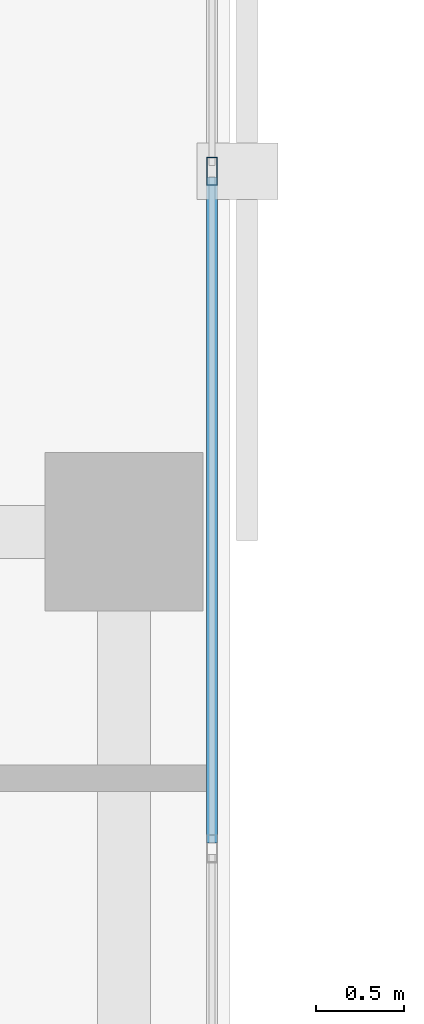
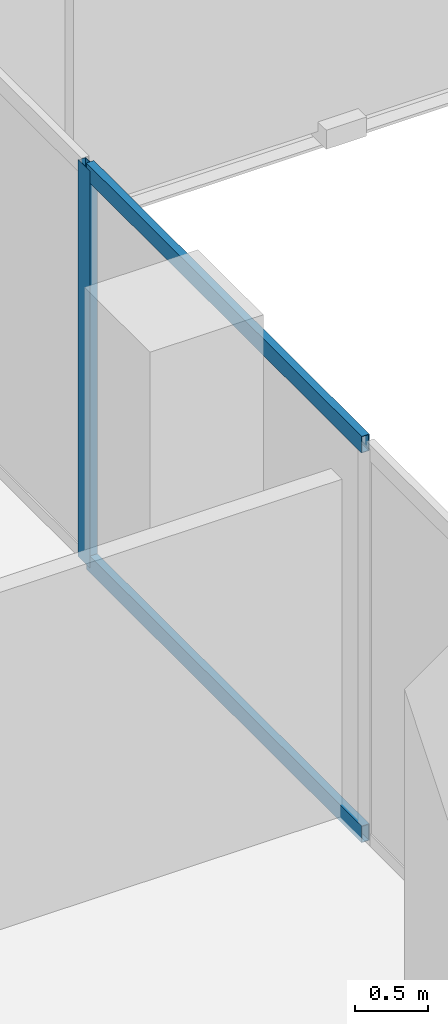
# One storey, part 8 of 34: 3 members, 1 element without a shape of its own.
"""IFC4 building model written with IfcOpenShell, lengths in metres."""

import ifcopenshell
import ifcopenshell.guid

model = None  # the IFC model being written
_history = None  # IfcOwnerHistory: only IFC2X3 demands one
_inside = {}  # id of a spatial element -> (the spatial element, [elements in it])
_under = {}  # id of a project, library or spatial element -> (it, [spatial elements below it])
_declared = {}  # id of a project -> (the project, [libraries it declares])
_typed = {}  # id of a type object -> (the type object, [elements of that type])
_made_of = {}  # id of a material, layer set ... -> (it, [elements and type objects made of it])


def new_model(schema):
    """Start an empty IFC model of exactly this schema.

    Asked for "IFC4X3", IfcOpenShell would pick the latest addendum, in which some entities
    have other attributes; the version numbers below select the first issue.
    IFC2X3 requires an IfcOwnerHistory on every rooted entity: one is made here for all.
    """
    global model, _history
    if schema == "IFC4X3":
        model = ifcopenshell.file(schema_version=(4, 3, 0, 0))
    else:
        model = ifcopenshell.file(schema=schema)
    _inside.clear()
    _under.clear()
    _declared.clear()
    _typed.clear()
    _made_of.clear()
    _history = None
    if model.schema == "IFC2X3":
        org = make("IfcOrganization", Name="unknown")
        user = make(
            "IfcPersonAndOrganization",
            ThePerson=make("IfcPerson", FamilyName="unknown"),
            TheOrganization=org,
        )
        app = make(
            "IfcApplication",
            ApplicationDeveloper=org,
            Version="unknown",
            ApplicationFullName="unknown",
            ApplicationIdentifier="unknown",
        )
        _history = make(
            "IfcOwnerHistory",
            OwningUser=user,
            OwningApplication=app,
            ChangeAction="ADDED",
            CreationDate=0,
        )
    return model


def make(cls, **values):
    """One entity of the class cls with the attributes given. An attribute that is None is left unset."""
    return model.create_entity(
        cls, **{name: value for name, value in values.items() if value is not None}
    )


def rooted(cls, **values):
    """An entity with a GlobalId (a new one), such as an element, a storey or a relation."""
    return make(cls, GlobalId=ifcopenshell.guid.new(), OwnerHistory=_history, **values)


def si_unit(unit_type, name, prefix=None):
    """IfcSIUnit, for example si_unit("LENGTHUNIT", "METRE", prefix="MILLI")."""
    return make("IfcSIUnit", UnitType=unit_type, Prefix=prefix, Name=name)


def assignment(units):
    """IfcUnitAssignment: the units of a project."""
    return None if units is None else make("IfcUnitAssignment", Units=units)


def point(xyz):
    """IfcCartesianPoint."""
    return None if xyz is None else make("IfcCartesianPoint", Coordinates=xyz)


def direction(xyz):
    """IfcDirection."""
    return None if xyz is None else make("IfcDirection", DirectionRatios=xyz)


def frame(location, z_axis=None, x_axis=None):
    """IfcAxis2Placement3D, a coordinate frame: its origin and axes. An axis left out is left unset."""
    return make(
        "IfcAxis2Placement3D",
        Location=point(location),
        Axis=direction(z_axis),
        RefDirection=direction(x_axis),
    )


def frame_2d(location, x_axis=None):
    """IfcAxis2Placement2D, a coordinate frame in the plane: its origin and x axis."""
    return make(
        "IfcAxis2Placement2D", Location=point(location), RefDirection=direction(x_axis)
    )


def origin():
    """The frame at (0, 0, 0) with its axes left unset."""
    return frame((0.0, 0.0, 0.0))


def origin_2d():
    """The frame at (0, 0) in the plane with its x axis left unset."""
    return frame_2d((0.0, 0.0))


def place(relative_to, where):
    """IfcLocalPlacement: puts the frame where relative to a parent placement (None: the world)."""
    return make(
        "IfcLocalPlacement", PlacementRelTo=relative_to, RelativePlacement=where
    )


def context(
    kind, dimensions, precision=None, world=None, true_north=None, identifier=None
):
    """IfcGeometricRepresentationContext, for example the 3D "Model" context."""
    return make(
        "IfcGeometricRepresentationContext",
        ContextIdentifier=identifier,
        ContextType=kind,
        CoordinateSpaceDimension=dimensions,
        Precision=precision,
        WorldCoordinateSystem=world,
        TrueNorth=true_north,
    )


def subcontext(parent, identifier, kind, view, scale=None):
    """IfcGeometricRepresentationSubContext, for example "Body" below "Model"."""
    return make(
        "IfcGeometricRepresentationSubContext",
        ContextIdentifier=identifier,
        ContextType=kind,
        ParentContext=parent,
        TargetScale=scale,
        TargetView=view,
    )


def project(units=None, contexts=None):
    """IfcProject with its units and contexts."""
    return rooted(
        "IfcProject",
        Name="project",
        RepresentationContexts=contexts,
        UnitsInContext=assignment(units),
    )


def spatial(cls, under=None, at=None, **own):
    """A site, building, storey or space (cls), placed at a placement, below another one or the project."""
    s = rooted(cls, ObjectPlacement=at, **own)
    if under is not None:
        _under.setdefault(under.id(), (under, []))[1].append(s)
    return s


def profile(cls, at=None, kind="AREA", **sizes):
    """A parametric profile (cls). Its sizes go by their IFC names, for example OverallWidth=200.0."""
    return make(cls, ProfileType=kind, Position=at, **sizes)


def hollow_rectangle(**sizes):
    """IfcRectangleHollowProfileDef."""
    return profile("IfcRectangleHollowProfileDef", **sizes)


def extrude(swept, where, along, depth):
    """IfcExtrudedAreaSolid: the profile swept, set in the frame where, extruded along a direction by depth."""
    return make(
        "IfcExtrudedAreaSolid",
        SweptArea=swept,
        Position=where,
        ExtrudedDirection=direction(along),
        Depth=depth,
    )


def shape(context_of_items, identifier, shape_type, items):
    """IfcShapeRepresentation: the items that make up one representation, for example the "Body"."""
    return make(
        "IfcShapeRepresentation",
        ContextOfItems=context_of_items,
        RepresentationIdentifier=identifier,
        RepresentationType=shape_type,
        Items=items,
    )


def material(Name=None, Category=None):
    """IfcMaterial."""
    return make("IfcMaterial", Name=Name, Category=Category)


def layer(
    of_material, thickness, ventilated=None, Name=None, Category=None, Priority=None
):
    """IfcMaterialLayer: one layer of a wall or slab, of a material (None: an air gap)."""
    return make(
        "IfcMaterialLayer",
        Material=of_material,
        LayerThickness=thickness,
        IsVentilated=ventilated,
        Name=Name,
        Category=Category,
        Priority=Priority,
    )


def layer_set(layers, Name=None):
    """IfcMaterialLayerSet."""
    return make("IfcMaterialLayerSet", MaterialLayers=layers, LayerSetName=Name)


def material_profile(
    of_material, cross_section, Name=None, Category=None, Priority=None
):
    """IfcMaterialProfile: a cross section and its material."""
    return make(
        "IfcMaterialProfile",
        Name=Name,
        Material=of_material,
        Profile=cross_section,
        Priority=Priority,
        Category=Category,
    )


def profile_set(profiles, Name=None, composite=None):
    """IfcMaterialProfileSet."""
    return make(
        "IfcMaterialProfileSet",
        Name=Name,
        MaterialProfiles=profiles,
        CompositeProfile=composite,
    )


def made_of(thing, what):
    """Note that an element or type object is made of a material, layer set ...; save() writes the relation."""
    if what is not None:
        _made_of.setdefault(what.id(), (what, []))[1].append(thing)
    return thing


def type_object(cls, material=None, **own):
    """A type object (cls), such as IfcWallType, which elements share."""
    return made_of(rooted(cls, **own), material)


def element(
    cls,
    number,
    at=None,
    inside=None,
    cuts=None,
    type_object=None,
    material=None,
    context=None,
    identifier="Body",
    shape_type=None,
    held_by="IfcProductDefinitionShape",
    body=None,
    shapes=None,
    **own,
):
    """One element of the class cls, such as IfcWall. Its Tag is "e" and its number.

    at: its placement. inside: the storey or other place that contains it. cuts: it is an
    opening in that element (IfcRelVoidsElement). A single representation is given by context,
    identifier, shape_type and body (its items); several are given by shapes. held_by: the class
    of the entity that holds the representations. save() writes the other relations.
    """
    e = rooted(cls, Tag="e%d" % number, ObjectPlacement=at, **own)
    if body is not None:
        shapes = [shape(context, identifier, shape_type, body)]
    if shapes is not None:
        e.Representation = make(held_by, Representations=shapes)
    if inside is not None:
        _inside.setdefault(inside.id(), (inside, []))[1].append(e)
    if cuts is not None:
        rooted(
            "IfcRelVoidsElement", RelatingBuildingElement=cuts, RelatedOpeningElement=e
        )
    if type_object is not None:
        _typed.setdefault(type_object.id(), (type_object, []))[1].append(e)
    return made_of(e, material)


def aggregate(whole, parts):
    """IfcRelAggregates: a whole, such as a stair, and the parts it consists of."""
    return rooted("IfcRelAggregates", RelatingObject=whole, RelatedObjects=parts)


def save(model, path):
    """Write the relations noted so far, then the file.

    IfcRelAggregates (storeys below a building ...), IfcRelContainedInSpatialStructure (elements
    in a storey), IfcRelDefinesByType, IfcRelAssociatesMaterial and IfcRelDeclares: one each for
    every whole, place, type object, material and project.
    """
    for whole, parts in _under.values():
        aggregate(whole, parts)
    for where, things in _inside.values():
        rooted(
            "IfcRelContainedInSpatialStructure",
            RelatedElements=things,
            RelatingStructure=where,
        )
    for kind, things in _typed.values():
        rooted("IfcRelDefinesByType", RelatedObjects=things, RelatingType=kind)
    for what, things in _made_of.values():
        rooted("IfcRelAssociatesMaterial", RelatedObjects=things, RelatingMaterial=what)
    for by, libraries in _declared.values():
        rooted("IfcRelDeclares", RelatingContext=by, RelatedDefinitions=libraries)
    model.write(path)


model = new_model("IFC4")

# Units and contexts
model_context = context("Model", 3, precision=1e-05, world=origin(), true_north=direction((0.0, 1.0)))
body_context = subcontext(model_context, "Body", "Model", "MODEL_VIEW")
ifc_project = project(units=[si_unit("LENGTHUNIT", "METRE"), si_unit("AREAUNIT", "SQUARE_METRE"), si_unit("VOLUMEUNIT", "CUBIC_METRE"), si_unit("PLANEANGLEUNIT", "RADIAN"), si_unit("MASSUNIT", "GRAM", prefix="KILO")], contexts=[model_context])

# Site, building, storey
site_placement = place(None, origin())
site = spatial("IfcSite", under=ifc_project, at=site_placement, CompositionType="ELEMENT")
building_placement = place(site_placement, origin())
building = spatial("IfcBuilding", under=site, at=building_placement, Name="Catumbela Crestline Tower", CompositionType="ELEMENT")
storey_placement = place(building_placement, frame((0.0, 0.0, 93.6)))
storey = spatial("IfcBuildingStorey", under=building, at=storey_placement, Name="L23", CompositionType="ELEMENT", Elevation=93.6)

# Curtain wall, members
ifc_material = material(Name="Aluminium alloy AW-6060-T66", Category="aluminium")
ifc_layer = layer(ifc_material, 0.18, Name="Aluminium alloy AW-6060-T66")
ifc_layer_set = layer_set([ifc_layer], Name="Aluminium alloy AW-6060-T66")
curtain_wall_type = type_object("IfcCurtainWallType", Name="CWU-Z2", PredefinedType="USERDEFINED", material=ifc_layer_set)
curtain_wall_placement = place(storey_placement, origin())
curtain_wall = element("IfcCurtainWall", 1, at=curtain_wall_placement, inside=storey, type_object=curtain_wall_type, Name="L23 Unitised Curtain Wall CW-L23-E2S1", ObjectType="UNITISED", PredefinedType="USERDEFINED")
ifc_material_profile_1 = material_profile(ifc_material, hollow_rectangle(XDim=0.06, YDim=0.16, WallThickness=0.004, at=origin_2d()), Name="ALU 160x60x4")
ifc_profile_set_1 = profile_set([ifc_material_profile_1], Name="Aluminium alloy AW-6060-T66")
member_type_1 = type_object("IfcMemberType", Name="MUL-160X60", PredefinedType="MULLION", material=ifc_profile_set_1)
member_1_placement = place(storey_placement, frame((23.9, 20.05, 0.0), z_axis=(0.0, 0.0, 1.0), x_axis=(-1.0, 0.0, 0.0)))
member_1 = element("IfcMember", 2, at=member_1_placement, type_object=member_type_1, Name="CWU-Z2 mullion 4", PredefinedType="MULLION", context=body_context, shape_type="SweptSolid", body=[
    extrude(hollow_rectangle(XDim=0.06, YDim=0.16, WallThickness=0.004, at=origin_2d()), origin(), (0.0, 0.0, 1.0), 3.33),
])
ifc_material_profile_2 = material_profile(ifc_material, hollow_rectangle(XDim=0.06, YDim=0.14, WallThickness=0.004, at=origin_2d()), Name="ALU 140x60x4")
ifc_profile_set_2 = profile_set([ifc_material_profile_2], Name="Aluminium alloy AW-6060-T66")
member_type_2 = type_object("IfcMemberType", Name="TRN-140X60", PredefinedType="USERDEFINED", material=ifc_profile_set_2)
member_2_placement = place(storey_placement, frame((23.9, 16.2325, 0.03), z_axis=(0.0, 1.0, 0.0), x_axis=(-1.0, 0.0, 0.0)))
member_2 = element("IfcMember", 3, at=member_2_placement, type_object=member_type_2, Name="CWU-Z2 transom 3.1", ObjectType="TRANSOM", PredefinedType="USERDEFINED", context=body_context, shape_type="SweptSolid", body=[
    extrude(hollow_rectangle(XDim=0.06, YDim=0.14, WallThickness=0.004, at=origin_2d()), origin(), (0.0, 0.0, 1.0), 3.785),
])
member_3_placement = place(storey_placement, frame((23.9, 16.2325, 3.3), z_axis=(0.0, 1.0, 0.0), x_axis=(-1.0, 0.0, 0.0)))
member_3 = element("IfcMember", 4, at=member_3_placement, type_object=member_type_2, Name="CWU-Z2 transom 3.2", ObjectType="TRANSOM", PredefinedType="USERDEFINED", context=body_context, shape_type="SweptSolid", body=[
    extrude(hollow_rectangle(XDim=0.06, YDim=0.14, WallThickness=0.004, at=origin_2d()), origin(), (0.0, 0.0, 1.0), 3.785),
])
aggregate(curtain_wall, [member_1, member_2, member_3])

save(model, "model.ifc")
